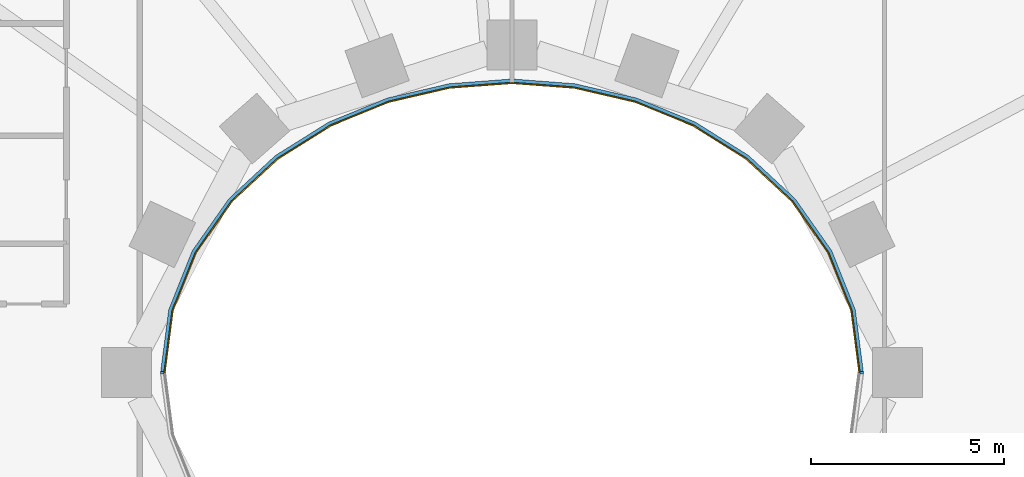
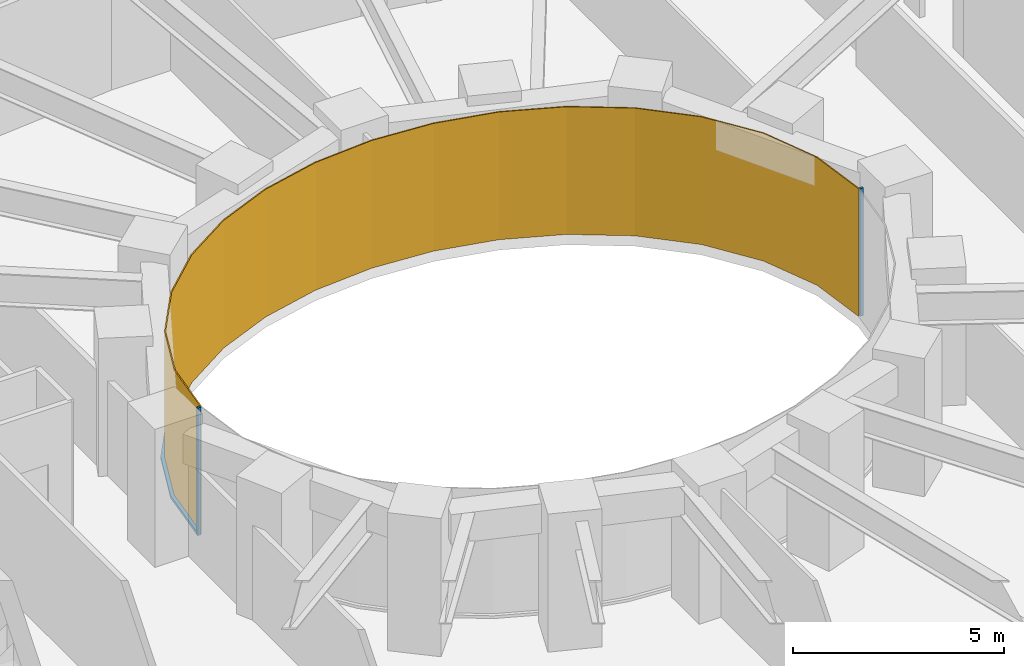
# One storey, part 12 of 16: 3 members, 1 curtain wall.
"""IFC4 building model written with IfcOpenShell, lengths in metres."""

from ifc_helpers import new_model, si_unit, direction, frame, origin, origin_2d, place, context, subcontext, project, spatial, polyline, rectangle, outline, extrude, material, layer, layer_set, material_profile, profile_set, type_object, element, aggregate, save


model = new_model("IFC4")

# Units and contexts
model_context = context("Model", 3, precision=1e-05, world=origin(), true_north=direction((0.0, 1.0)))
body_context = subcontext(model_context, "Body", "Model", "MODEL_VIEW")
ifc_project = project(units=[si_unit("LENGTHUNIT", "METRE"), si_unit("AREAUNIT", "SQUARE_METRE"), si_unit("VOLUMEUNIT", "CUBIC_METRE"), si_unit("PLANEANGLEUNIT", "RADIAN"), si_unit("MASSUNIT", "GRAM", prefix="KILO")], contexts=[model_context])

# Member
ifc_material_1 = material(Name="Steel S355 fire-resisting frame", Category="steel")
ifc_material_profile = material_profile(ifc_material_1, rectangle(XDim=0.090087890625, YDim=0.06005859375, at=origin_2d()), Name="90x60")
ifc_profile_set = profile_set([ifc_material_profile], Name="Steel S355 fire-resisting frame")
member_type_1 = type_object("IfcMemberType", Name="ENV-MULLION-W-90", PredefinedType="MULLION", material=ifc_profile_set)
site_placement = place(None, origin())
building_placement = place(site_placement, origin())
storey_placement = place(building_placement, frame((0.0, 0.0, 78.5)))
member_1_placement = place(storey_placement, frame((9.076904296875, 0.0, 0.0), z_axis=(0.0, 0.0, 1.0), x_axis=(1.0, 0.0, 0.0)))
member_1 = element("IfcMember", 1, at=member_1_placement, type_object=member_type_1, Name="Mullion W well vertex 01", PredefinedType="MULLION", context=body_context, shape_type="SweptSolid", body=[
    extrude(rectangle(XDim=0.090087890625, YDim=0.06005859375, at=origin_2d()), origin(), (0.0, 0.0, 1.0), 3.699951171875),
])

member_2_placement = place(storey_placement, frame((-9.076904296875, 0.0, 0.0), z_axis=(0.0, 0.0, 1.0), x_axis=(-1.0, 0.0, 0.0)))
member_2 = element("IfcMember", 2, at=member_2_placement, type_object=member_type_1, Name="Mullion W well vertex 17", PredefinedType="MULLION", context=body_context, shape_type="SweptSolid", body=[
    extrude(rectangle(XDim=0.090087890625, YDim=0.06005859375, at=origin_2d()), origin(), (0.0, 0.0, 1.0), 3.699951171875),
])

ifc_material_2 = material(Name="Steel S355 fire-resisting frame", Category="steel")
member_type_2 = type_object("IfcMemberType", Name="ENV-TRANSOM-W", PredefinedType="USERDEFINED", material=ifc_material_2)
member_3_placement = place(storey_placement, origin())
member_3 = element("IfcMember", 3, at=member_3_placement, type_object=member_type_2, Name="Transom W well 01-17", ObjectType="TRANSOM", PredefinedType="USERDEFINED", context=body_context, shape_type="SweptSolid", body=[
    extrude(outline(polyline([(9.119384765625, 0.02783203125), (8.910400390625, 1.63623046875), (8.29833984375, 3.167236328125), (7.35107421875, 4.5146484375), (6.1455078125, 5.6337890625), (4.75341796875, 6.50634765625), (3.233642578125, 7.127685546875), (1.635498046875, 7.498779296875), (0.0, 7.622314453125), (-1.635498046875, 7.498779296875), (-3.233642578125, 7.127685546875), (-4.75341796875, 6.50634765625), (-6.1455078125, 5.6337890625), (-7.35107421875, 4.5146484375), (-8.29833984375, 3.167236328125), (-8.910400390625, 1.63623046875), (-9.119384765625, 0.02783203125), (-9.02880859375, 0.02783203125), (-8.822509765625, 1.61328125), (-8.21875, 3.124267578125), (-7.282958984375, 4.455078125), (-6.090576171875, 5.56201171875), (-4.712158203125, 6.426025390625), (-3.206298828125, 7.04150390625), (-1.621826171875, 7.40966796875), (0.0, 7.531982421875), (1.621826171875, 7.40966796875), (3.206298828125, 7.04150390625), (4.712158203125, 6.426025390625), (6.090576171875, 5.56201171875), (7.282958984375, 4.455078125), (8.21875, 3.124267578125), (8.822509765625, 1.61328125), (9.02880859375, 0.02783203125), (9.119384765625, 0.02783203125)])), origin(), (0.0, 0.0, 1.0), 0.080078125),
])

# Site, building, storey
site = spatial("IfcSite", under=ifc_project, at=site_placement, CompositionType="ELEMENT")
building = spatial("IfcBuilding", under=site, at=building_placement, Name="Noorbagh Ring Tower", CompositionType="ELEMENT")
storey = spatial("IfcBuildingStorey", under=building, at=storey_placement, Name="L17", CompositionType="ELEMENT", Elevation=78.5)

# Curtain wall
ifc_material_3 = material(Name="Glass fire-resisting E60 laminated", Category="glass")
ifc_layer = layer(ifc_material_3, 0.031982421875)
ifc_layer_set = layer_set([ifc_layer], Name="Glass fire-resisting E60 laminated")
curtain_wall_type = type_object("IfcCurtainWallType", Name="ENV-CW-W", PredefinedType="NOTDEFINED", material=ifc_layer_set)
curtain_wall_placement = place(storey_placement, origin())
curtain_wall = element("IfcCurtainWall", 4, at=curtain_wall_placement, inside=storey, type_object=curtain_wall_type, Name="Curtain wall W W01", PredefinedType="NOTDEFINED", context=body_context, shape_type="SweptSolid", body=[
    extrude(outline(polyline([(9.0322265625, 0.0), (8.822509765625, 1.61328125), (8.21875, 3.124267578125), (7.282958984375, 4.455078125), (6.090576171875, 5.56201171875), (4.712158203125, 6.426025390625), (3.206298828125, 7.04150390625), (1.621826171875, 7.40966796875), (0.0, 7.531982421875), (-1.621826171875, 7.40966796875), (-3.206298828125, 7.04150390625), (-4.712158203125, 6.426025390625), (-6.090576171875, 5.56201171875), (-7.282958984375, 4.455078125), (-8.21875, 3.124267578125), (-8.822509765625, 1.61328125), (-9.0322265625, 0.0), (-9.0, 0.0), (-8.79150390625, 1.605224609375), (-8.1904296875, 3.10888671875), (-7.2587890625, 4.43408203125), (-6.071044921875, 5.53662109375), (-4.697509765625, 6.3974609375), (-3.196533203125, 7.010986328125), (-1.6171875, 7.3779296875), (0.0, 7.5), (1.6171875, 7.3779296875), (3.196533203125, 7.010986328125), (4.697509765625, 6.3974609375), (6.071044921875, 5.53662109375), (7.2587890625, 4.43408203125), (8.1904296875, 3.10888671875), (8.79150390625, 1.605224609375), (9.0, 0.0), (9.0322265625, 0.0)])), origin(), (0.0, 0.0, 1.0), 3.699951171875),
])

aggregate(curtain_wall, [member_1, member_2, member_3])

save(model, "model.ifc")
